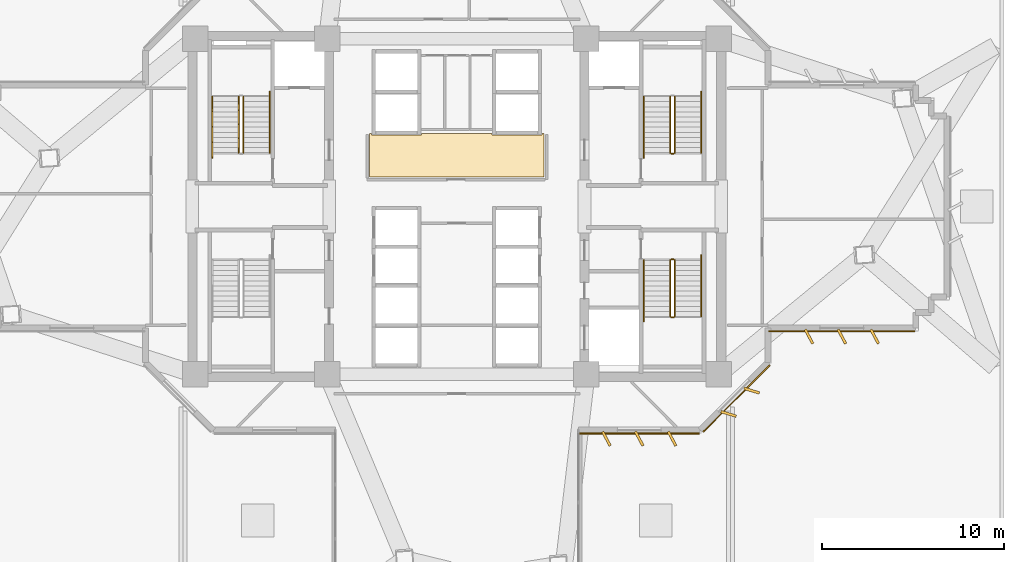
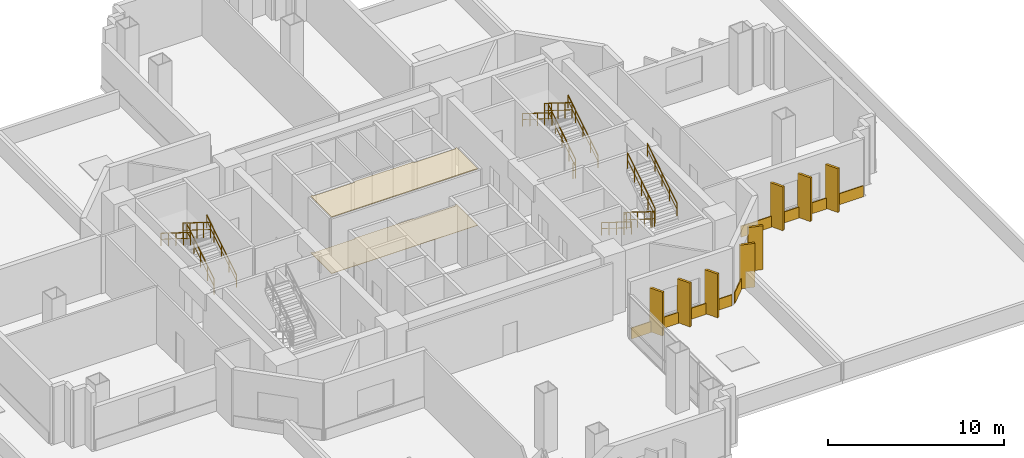
# One storey, part 13 of 15: 15 railings, 8 shading devices, 5 coverings.
"""IFC4 building model written with IfcOpenShell, lengths in metres."""

from ifc_helpers import new_model, si_unit, direction, frame, origin, origin_2d, place, context, subcontext, project, spatial, polyline, rectangle, outline, extrude, source, transform, mapped, material, layer, layer_set, type_object, element, save


model = new_model("IFC4")

# Units and contexts
model_context = context("Model", 3, precision=1e-05, world=origin(), true_north=direction((0.0, 1.0)))
body_context = subcontext(model_context, "Body", "Model", "MODEL_VIEW")
ifc_project = project(units=[si_unit("LENGTHUNIT", "METRE"), si_unit("AREAUNIT", "SQUARE_METRE"), si_unit("VOLUMEUNIT", "CUBIC_METRE"), si_unit("PLANEANGLEUNIT", "RADIAN"), si_unit("MASSUNIT", "GRAM", prefix="KILO")], contexts=[model_context])

# Site, building, storey
site_placement = place(None, origin())
site = spatial("IfcSite", under=ifc_project, at=site_placement, CompositionType="ELEMENT")
building_placement = place(site_placement, origin())
building = spatial("IfcBuilding", under=site, at=building_placement, Name="Zahravan Cultural Tower", CompositionType="ELEMENT")
storey_placement = place(building_placement, frame((0.0, 0.0, 29.10009765625)))
storey = spatial("IfcBuildingStorey", under=building, at=storey_placement, Name="L05", CompositionType="ELEMENT", Elevation=29.10009765625)

# Coverings
ifc_material_1 = material(Name="Acoustic mineral fibreboard")
ifc_layer_1 = layer(ifc_material_1, 0.0400390625)
ifc_layer_set_1 = layer_set([ifc_layer_1], Name="Acoustic mineral fibreboard")
covering_type_1 = type_object("IfcCoveringType", Name="COV-CEIL-AC20", PredefinedType="CEILING", material=ifc_layer_set_1)
covering_1_placement = place(storey_placement, frame((0.0, 0.0, 3.909912109375)))
element("IfcCovering", 1, at=covering_1_placement, inside=storey, type_object=covering_type_1, Name="L05 Acoustic Suspended Ceiling", PredefinedType="CEILING", context=body_context, shape_type="SweptSolid", body=[
    extrude(outline(polyline([(31.219970703125, 31.0), (31.219970703125, 28.6201171875), (40.780029296875, 28.6201171875), (40.780029296875, 31.0), (40.669921875, 31.0), (40.669921875, 30.929931640625), (37.929931640625, 30.929931640625), (37.929931640625, 31.0), (34.070068359375, 31.0), (34.070068359375, 30.929931640625), (31.330078125, 30.929931640625), (31.330078125, 31.0), (31.219970703125, 31.0)])), origin(), (0.0, 0.0, 1.0), 0.0400390625),
])
ifc_material_2 = material(Name="Terrazzo flooring")
ifc_layer_2 = layer(ifc_material_2, 0.02490234375)
ifc_layer_set_2 = layer_set([ifc_layer_2], Name="Terrazzo flooring")
covering_type_2 = type_object("IfcCoveringType", Name="COV-FLR-TZ25", PredefinedType="FLOORING", material=ifc_layer_set_2)
covering_2_placement = place(storey_placement, origin())
element("IfcCovering", 2, at=covering_2_placement, inside=storey, type_object=covering_type_2, Name="L05 Polished Terrazzo Flooring", PredefinedType="FLOORING", context=body_context, shape_type="SweptSolid", body=[
    extrude(outline(polyline([(31.219970703125, 31.0), (31.219970703125, 28.6201171875), (40.780029296875, 28.6201171875), (40.780029296875, 31.0), (40.669921875, 31.0), (40.669921875, 30.929931640625), (37.929931640625, 30.929931640625), (37.929931640625, 31.0), (34.070068359375, 31.0), (34.070068359375, 30.929931640625), (31.330078125, 30.929931640625), (31.330078125, 31.0), (31.219970703125, 31.0)])), origin(), (0.0, 0.0, 1.0), 0.02490234375),
])

# Railings
ifc_material_3 = material(Name="Steel ASTM A572 Grade 50", Category="steel")
railing_type_1 = type_object("IfcRailingType", Name="RL-STAIR-GRD1150", PredefinedType="BALUSTRADE", material=ifc_material_3)
railing_1_placement = place(storey_placement, frame((24.300048828125, 29.949951171875, 0.1748046875)))
element("IfcRailing", 3, at=railing_1_placement, inside=storey, type_object=railing_type_1, Name="L05 ST-W1 stair guard 1", PredefinedType="BALUSTRADE", context=body_context, shape_type="SweptSolid", body=[
    extrude(rectangle(XDim=0.05, YDim=0.05, at=origin_2d()), frame((0.0, 0.0, 1.0751953125), z_axis=(0.0, 0.847998304005, 0.529998940003), x_axis=(-1.0, 0.0, 0.0)), (0.0, 0.0, 1.0), 3.632080078125),
    extrude(rectangle(XDim=0.032, YDim=0.032, at=origin_2d()), frame((0.0, 0.0, 0.572021484375), z_axis=(0.0, 0.847998304005, 0.529998940003), x_axis=(-1.0, 0.0, 0.0)), (0.0, 0.0, 1.0), 3.632080078125),
    extrude(rectangle(XDim=0.04, YDim=0.04, at=origin_2d()), origin(), (0.0, 0.0, 1.0), 1.10009765625),
    extrude(rectangle(XDim=0.04, YDim=0.04, at=origin_2d()), frame((0.0, 0.77001953125, 0.481201171875)), (0.0, 0.0, 1.0), 1.10009765625),
    extrude(rectangle(XDim=0.04, YDim=0.04, at=origin_2d()), frame((0.0, 1.5400390625, 0.96240234375)), (0.0, 0.0, 1.0), 1.10009765625),
    extrude(rectangle(XDim=0.04, YDim=0.04, at=origin_2d()), frame((0.0, 2.31005859375, 1.44384765625)), (0.0, 0.0, 1.0), 1.10009765625),
    extrude(rectangle(XDim=0.04, YDim=0.04, at=origin_2d()), frame((0.0, 3.080078125, 1.925048828125)), (0.0, 0.0, 1.0), 1.10009765625),
])
railing_2_placement = place(storey_placement, frame((24.050048828125, 33.030029296875, 2.27490234375)))
element("IfcRailing", 4, at=railing_2_placement, inside=storey, type_object=railing_type_1, Name="L05 ST-W1 stair guard 3", PredefinedType="BALUSTRADE", context=body_context, shape_type="SweptSolid", body=[
    extrude(rectangle(XDim=0.05, YDim=0.05, at=origin_2d()), frame((0.0, 0.0, 1.0751953125), z_axis=(0.0, -0.847998304005, 0.529998940003), x_axis=(1.0, 0.0, 0.0)), (0.0, 0.0, 1.0), 3.632080078125),
    extrude(rectangle(XDim=0.032, YDim=0.032, at=origin_2d()), frame((0.0, 0.0, 0.572021484375), z_axis=(0.0, -0.847998304005, 0.529998940003), x_axis=(1.0, 0.0, 0.0)), (0.0, 0.0, 1.0), 3.632080078125),
    extrude(rectangle(XDim=0.04, YDim=0.04, at=origin_2d()), origin(), (0.0, 0.0, 1.0), 1.10009765625),
    extrude(rectangle(XDim=0.04, YDim=0.04, at=origin_2d()), frame((0.0, -0.77001953125, 0.481201171875)), (0.0, 0.0, 1.0), 1.10009765625),
    extrude(rectangle(XDim=0.04, YDim=0.04, at=origin_2d()), frame((0.0, -1.5400390625, 0.96240234375)), (0.0, 0.0, 1.0), 1.10009765625),
    extrude(rectangle(XDim=0.04, YDim=0.04, at=origin_2d()), frame((0.0, -2.31005859375, 1.44384765625)), (0.0, 0.0, 1.0), 1.10009765625),
    extrude(rectangle(XDim=0.04, YDim=0.04, at=origin_2d()), frame((0.0, -3.080078125, 1.925048828125)), (0.0, 0.0, 1.0), 1.10009765625),
])
railing_3_placement = place(storey_placement, frame((47.949951171875, 29.949951171875, 0.1748046875)))
element("IfcRailing", 5, at=railing_3_placement, inside=storey, type_object=railing_type_1, Name="L05 ST-E1 stair guard 1", PredefinedType="BALUSTRADE", context=body_context, shape_type="SweptSolid", body=[
    extrude(rectangle(XDim=0.05, YDim=0.05, at=origin_2d()), frame((0.0, 0.0, 1.0751953125), z_axis=(0.0, 0.847998304005, 0.529998940003), x_axis=(-1.0, 0.0, 0.0)), (0.0, 0.0, 1.0), 3.632080078125),
    extrude(rectangle(XDim=0.032, YDim=0.032, at=origin_2d()), frame((0.0, 0.0, 0.572021484375), z_axis=(0.0, 0.847998304005, 0.529998940003), x_axis=(-1.0, 0.0, 0.0)), (0.0, 0.0, 1.0), 3.632080078125),
    extrude(rectangle(XDim=0.04, YDim=0.04, at=origin_2d()), origin(), (0.0, 0.0, 1.0), 1.10009765625),
    extrude(rectangle(XDim=0.04, YDim=0.04, at=origin_2d()), frame((0.0, 0.77001953125, 0.481201171875)), (0.0, 0.0, 1.0), 1.10009765625),
    extrude(rectangle(XDim=0.04, YDim=0.04, at=origin_2d()), frame((0.0, 1.5400390625, 0.96240234375)), (0.0, 0.0, 1.0), 1.10009765625),
    extrude(rectangle(XDim=0.04, YDim=0.04, at=origin_2d()), frame((0.0, 2.31005859375, 1.44384765625)), (0.0, 0.0, 1.0), 1.10009765625),
    extrude(rectangle(XDim=0.04, YDim=0.04, at=origin_2d()), frame((0.0, 3.080078125, 1.925048828125)), (0.0, 0.0, 1.0), 1.10009765625),
])
railing_4_placement = place(storey_placement, frame((47.699951171875, 33.030029296875, 2.27490234375)))
element("IfcRailing", 6, at=railing_4_placement, inside=storey, type_object=railing_type_1, Name="L05 ST-E1 stair guard 3", PredefinedType="BALUSTRADE", context=body_context, shape_type="SweptSolid", body=[
    extrude(rectangle(XDim=0.05, YDim=0.05, at=origin_2d()), frame((0.0, 0.0, 1.0751953125), z_axis=(0.0, -0.847998304005, 0.529998940003), x_axis=(1.0, 0.0, 0.0)), (0.0, 0.0, 1.0), 3.632080078125),
    extrude(rectangle(XDim=0.032, YDim=0.032, at=origin_2d()), frame((0.0, 0.0, 0.572021484375), z_axis=(0.0, -0.847998304005, 0.529998940003), x_axis=(1.0, 0.0, 0.0)), (0.0, 0.0, 1.0), 3.632080078125),
    extrude(rectangle(XDim=0.04, YDim=0.04, at=origin_2d()), origin(), (0.0, 0.0, 1.0), 1.10009765625),
    extrude(rectangle(XDim=0.04, YDim=0.04, at=origin_2d()), frame((0.0, -0.77001953125, 0.481201171875)), (0.0, 0.0, 1.0), 1.10009765625),
    extrude(rectangle(XDim=0.04, YDim=0.04, at=origin_2d()), frame((0.0, -1.5400390625, 0.96240234375)), (0.0, 0.0, 1.0), 1.10009765625),
    extrude(rectangle(XDim=0.04, YDim=0.04, at=origin_2d()), frame((0.0, -2.31005859375, 1.44384765625)), (0.0, 0.0, 1.0), 1.10009765625),
    extrude(rectangle(XDim=0.04, YDim=0.04, at=origin_2d()), frame((0.0, -3.080078125, 1.925048828125)), (0.0, 0.0, 1.0), 1.10009765625),
])
railing_5_placement = place(storey_placement, frame((47.89990234375, 29.89990234375, 0.0)))
element("IfcRailing", 7, at=railing_5_placement, inside=storey, type_object=railing_type_1, Name="L05 ST-E1 stair guard 4", PredefinedType="BALUSTRADE", context=body_context, shape_type="SweptSolid", body=[
    extrude(rectangle(XDim=0.05, YDim=0.05, at=origin_2d()), frame((0.0, 0.0, 1.0751953125), z_axis=(-1.0, 0.0, 0.0), x_axis=(0.0, -1.0, 0.0)), (0.0, 0.0, 1.0), 0.14990234375),
    extrude(rectangle(XDim=0.032, YDim=0.032, at=origin_2d()), frame((0.0, 0.0, 0.572021484375), z_axis=(-1.0, 0.0, 0.0), x_axis=(0.0, -1.0, 0.0)), (0.0, 0.0, 1.0), 0.14990234375),
    extrude(rectangle(XDim=0.04, YDim=0.04, at=origin_2d()), origin(), (0.0, 0.0, 1.0), 1.10009765625),
    extrude(rectangle(XDim=0.04, YDim=0.04, at=origin_2d()), frame((-0.14990234375, 0.0, 0.0)), (0.0, 0.0, 1.0), 1.10009765625),
])
railing_6_placement = place(storey_placement, frame((47.699951171875, 24.050048828125, 0.1748046875)))
element("IfcRailing", 8, at=railing_6_placement, inside=storey, type_object=railing_type_1, Name="L05 ST-E2 stair guard 1", PredefinedType="BALUSTRADE", context=body_context, shape_type="SweptSolid", body=[
    extrude(rectangle(XDim=0.05, YDim=0.05, at=origin_2d()), frame((0.0, 0.0, 1.0751953125), z_axis=(0.0, -0.847998304005, 0.529998940003), x_axis=(1.0, 0.0, 0.0)), (0.0, 0.0, 1.0), 3.632080078125),
    extrude(rectangle(XDim=0.032, YDim=0.032, at=origin_2d()), frame((0.0, 0.0, 0.572021484375), z_axis=(0.0, -0.847998304005, 0.529998940003), x_axis=(1.0, 0.0, 0.0)), (0.0, 0.0, 1.0), 3.632080078125),
    extrude(rectangle(XDim=0.04, YDim=0.04, at=origin_2d()), origin(), (0.0, 0.0, 1.0), 1.10009765625),
    extrude(rectangle(XDim=0.04, YDim=0.04, at=origin_2d()), frame((0.0, -0.77001953125, 0.481201171875)), (0.0, 0.0, 1.0), 1.10009765625),
    extrude(rectangle(XDim=0.04, YDim=0.04, at=origin_2d()), frame((0.0, -1.5400390625, 0.96240234375)), (0.0, 0.0, 1.0), 1.10009765625),
    extrude(rectangle(XDim=0.04, YDim=0.04, at=origin_2d()), frame((0.0, -2.31005859375, 1.44384765625)), (0.0, 0.0, 1.0), 1.10009765625),
    extrude(rectangle(XDim=0.04, YDim=0.04, at=origin_2d()), frame((0.0, -3.080078125, 1.925048828125)), (0.0, 0.0, 1.0), 1.10009765625),
])
railing_7_placement = place(storey_placement, frame((47.75, 20.919921875, 2.099853515625)))
element("IfcRailing", 9, at=railing_7_placement, inside=storey, type_object=railing_type_1, Name="L05 ST-E2 stair guard 2", PredefinedType="BALUSTRADE", context=body_context, shape_type="SweptSolid", body=[
    extrude(rectangle(XDim=0.05, YDim=0.05, at=origin_2d()), frame((0.0, 0.0, 1.0751953125), z_axis=(1.0, 0.0, 0.0), x_axis=(0.0, 1.0, 0.0)), (0.0, 0.0, 1.0), 0.14990234375),
    extrude(rectangle(XDim=0.032, YDim=0.032, at=origin_2d()), frame((0.0, 0.0, 0.572021484375), z_axis=(1.0, 0.0, 0.0), x_axis=(0.0, 1.0, 0.0)), (0.0, 0.0, 1.0), 0.14990234375),
    extrude(rectangle(XDim=0.04, YDim=0.04, at=origin_2d()), origin(), (0.0, 0.0, 1.0), 1.10009765625),
    extrude(rectangle(XDim=0.04, YDim=0.04, at=origin_2d()), frame((0.14990234375, 0.0, 0.0)), (0.0, 0.0, 1.0), 1.10009765625),
])
railing_8_placement = place(storey_placement, frame((47.949951171875, 20.969970703125, 2.27490234375)))
element("IfcRailing", 10, at=railing_8_placement, inside=storey, type_object=railing_type_1, Name="L05 ST-E2 stair guard 3", PredefinedType="BALUSTRADE", context=body_context, shape_type="SweptSolid", body=[
    extrude(rectangle(XDim=0.05, YDim=0.05, at=origin_2d()), frame((0.0, 0.0, 1.0751953125), z_axis=(0.0, 0.847998304005, 0.529998940003), x_axis=(-1.0, 0.0, 0.0)), (0.0, 0.0, 1.0), 3.632080078125),
    extrude(rectangle(XDim=0.032, YDim=0.032, at=origin_2d()), frame((0.0, 0.0, 0.572021484375), z_axis=(0.0, 0.847998304005, 0.529998940003), x_axis=(-1.0, 0.0, 0.0)), (0.0, 0.0, 1.0), 3.632080078125),
    extrude(rectangle(XDim=0.04, YDim=0.04, at=origin_2d()), origin(), (0.0, 0.0, 1.0), 1.10009765625),
    extrude(rectangle(XDim=0.04, YDim=0.04, at=origin_2d()), frame((0.0, 0.77001953125, 0.481201171875)), (0.0, 0.0, 1.0), 1.10009765625),
    extrude(rectangle(XDim=0.04, YDim=0.04, at=origin_2d()), frame((0.0, 1.5400390625, 0.96240234375)), (0.0, 0.0, 1.0), 1.10009765625),
    extrude(rectangle(XDim=0.04, YDim=0.04, at=origin_2d()), frame((0.0, 2.31005859375, 1.44384765625)), (0.0, 0.0, 1.0), 1.10009765625),
    extrude(rectangle(XDim=0.04, YDim=0.04, at=origin_2d()), frame((0.0, 3.080078125, 1.925048828125)), (0.0, 0.0, 1.0), 1.10009765625),
])
railing_9_placement = place(storey_placement, frame((47.75, 24.10009765625, 0.0)))
element("IfcRailing", 11, at=railing_9_placement, inside=storey, type_object=railing_type_1, Name="L05 ST-E2 stair guard 4", PredefinedType="BALUSTRADE", context=body_context, shape_type="SweptSolid", body=[
    extrude(rectangle(XDim=0.05, YDim=0.05, at=origin_2d()), frame((0.0, 0.0, 1.0751953125), z_axis=(1.0, 0.0, 0.0), x_axis=(0.0, 1.0, 0.0)), (0.0, 0.0, 1.0), 0.14990234375),
    extrude(rectangle(XDim=0.032, YDim=0.032, at=origin_2d()), frame((0.0, 0.0, 0.572021484375), z_axis=(1.0, 0.0, 0.0), x_axis=(0.0, 1.0, 0.0)), (0.0, 0.0, 1.0), 0.14990234375),
    extrude(rectangle(XDim=0.04, YDim=0.04, at=origin_2d()), origin(), (0.0, 0.0, 1.0), 1.10009765625),
    extrude(rectangle(XDim=0.04, YDim=0.04, at=origin_2d()), frame((0.14990234375, 0.0, 0.0)), (0.0, 0.0, 1.0), 1.10009765625),
])
railing_type_2 = type_object("IfcRailingType", Name="RL-STAIR-HR900", PredefinedType="HANDRAIL", material=ifc_material_3)
railing_10_placement = place(storey_placement, frame((25.75, 29.949951171875, 0.1748046875)))
element("IfcRailing", 12, at=railing_10_placement, inside=storey, type_object=railing_type_2, Name="L05 ST-W1 stair handrail 1", PredefinedType="HANDRAIL", context=body_context, shape_type="SweptSolid", body=[
    extrude(rectangle(XDim=0.05, YDim=0.05, at=origin_2d()), frame((0.0, 0.0, 0.875), z_axis=(0.0, 0.847994842521, 0.530004478338), x_axis=(-1.0, 0.0, 0.0)), (0.0, 0.0, 1.0), 3.96240234375),
    extrude(rectangle(XDim=0.032, YDim=0.032, at=origin_2d()), frame((0.0, 0.0, 0.468017578125), z_axis=(0.0, 0.847994842521, 0.530004478338), x_axis=(-1.0, 0.0, 0.0)), (0.0, 0.0, 1.0), 3.96240234375),
    extrude(rectangle(XDim=0.04, YDim=0.04, at=origin_2d()), origin(), (0.0, 0.0, 1.0), 0.89990234375),
    extrude(rectangle(XDim=0.04, YDim=0.04, at=origin_2d()), frame((0.0, 0.840087890625, 0.52490234375)), (0.0, 0.0, 1.0), 0.89990234375),
    extrude(rectangle(XDim=0.04, YDim=0.04, at=origin_2d()), frame((0.0, 1.68017578125, 1.050048828125)), (0.0, 0.0, 1.0), 0.89990234375),
    extrude(rectangle(XDim=0.04, YDim=0.04, at=origin_2d()), frame((0.0, 2.52001953125, 1.5751953125)), (0.0, 0.0, 1.0), 0.89990234375),
    extrude(rectangle(XDim=0.04, YDim=0.04, at=origin_2d()), frame((0.0, 3.360107421875, 2.10009765625)), (0.0, 0.0, 1.0), 0.89990234375),
])
railing_11_placement = place(storey_placement, frame((22.60009765625, 33.030029296875, 2.27490234375)))
element("IfcRailing", 13, at=railing_11_placement, inside=storey, type_object=railing_type_2, Name="L05 ST-W1 stair handrail 2", PredefinedType="HANDRAIL", context=body_context, shape_type="SweptSolid", body=[
    extrude(rectangle(XDim=0.05, YDim=0.05, at=origin_2d()), frame((0.0, 0.0, 0.875), z_axis=(0.0, -0.847994842521, 0.530004478338), x_axis=(1.0, 0.0, 0.0)), (0.0, 0.0, 1.0), 3.96240234375),
    extrude(rectangle(XDim=0.032, YDim=0.032, at=origin_2d()), frame((0.0, 0.0, 0.468017578125), z_axis=(0.0, -0.847994842521, 0.530004478338), x_axis=(1.0, 0.0, 0.0)), (0.0, 0.0, 1.0), 3.96240234375),
    extrude(rectangle(XDim=0.04, YDim=0.04, at=origin_2d()), origin(), (0.0, 0.0, 1.0), 0.89990234375),
    extrude(rectangle(XDim=0.04, YDim=0.04, at=origin_2d()), frame((0.0, -0.840087890625, 0.52490234375)), (0.0, 0.0, 1.0), 0.89990234375),
    extrude(rectangle(XDim=0.04, YDim=0.04, at=origin_2d()), frame((0.0, -1.68017578125, 1.050048828125)), (0.0, 0.0, 1.0), 0.89990234375),
    extrude(rectangle(XDim=0.04, YDim=0.04, at=origin_2d()), frame((0.0, -2.52001953125, 1.5751953125)), (0.0, 0.0, 1.0), 0.89990234375),
    extrude(rectangle(XDim=0.04, YDim=0.04, at=origin_2d()), frame((0.0, -3.360107421875, 2.10009765625)), (0.0, 0.0, 1.0), 0.89990234375),
])
railing_12_placement = place(storey_placement, frame((49.39990234375, 29.949951171875, 0.1748046875)))
element("IfcRailing", 14, at=railing_12_placement, inside=storey, type_object=railing_type_2, Name="L05 ST-E1 stair handrail 1", PredefinedType="HANDRAIL", context=body_context, shape_type="SweptSolid", body=[
    extrude(rectangle(XDim=0.05, YDim=0.05, at=origin_2d()), frame((0.0, 0.0, 0.875), z_axis=(0.0, 0.847994842521, 0.530004478338), x_axis=(-1.0, 0.0, 0.0)), (0.0, 0.0, 1.0), 3.96240234375),
    extrude(rectangle(XDim=0.032, YDim=0.032, at=origin_2d()), frame((0.0, 0.0, 0.468017578125), z_axis=(0.0, 0.847994842521, 0.530004478338), x_axis=(-1.0, 0.0, 0.0)), (0.0, 0.0, 1.0), 3.96240234375),
    extrude(rectangle(XDim=0.04, YDim=0.04, at=origin_2d()), origin(), (0.0, 0.0, 1.0), 0.89990234375),
    extrude(rectangle(XDim=0.04, YDim=0.04, at=origin_2d()), frame((0.0, 0.840087890625, 0.52490234375)), (0.0, 0.0, 1.0), 0.89990234375),
    extrude(rectangle(XDim=0.04, YDim=0.04, at=origin_2d()), frame((0.0, 1.68017578125, 1.050048828125)), (0.0, 0.0, 1.0), 0.89990234375),
    extrude(rectangle(XDim=0.04, YDim=0.04, at=origin_2d()), frame((0.0, 2.52001953125, 1.5751953125)), (0.0, 0.0, 1.0), 0.89990234375),
    extrude(rectangle(XDim=0.04, YDim=0.04, at=origin_2d()), frame((0.0, 3.360107421875, 2.10009765625)), (0.0, 0.0, 1.0), 0.89990234375),
])
for number, where, name in (
    (15, (46.25, 33.030029296875, 2.27490234375), "L05 ST-E1 stair handrail 2"),
    (16, (46.25, 24.050048828125, 0.1748046875), "L05 ST-E2 stair handrail 1"),
):
    element("IfcRailing", number, at=place(storey_placement, frame(where)), inside=storey, type_object=railing_type_2, Name=name, PredefinedType="HANDRAIL", context=body_context, shape_type="SweptSolid", body=[
        extrude(rectangle(XDim=0.05, YDim=0.05, at=origin_2d()), frame((0.0, 0.0, 0.875), z_axis=(0.0, -0.847994842521, 0.530004478338), x_axis=(1.0, 0.0, 0.0)), (0.0, 0.0, 1.0), 3.96240234375),
        extrude(rectangle(XDim=0.032, YDim=0.032, at=origin_2d()), frame((0.0, 0.0, 0.468017578125), z_axis=(0.0, -0.847994842521, 0.530004478338), x_axis=(1.0, 0.0, 0.0)), (0.0, 0.0, 1.0), 3.96240234375),
        extrude(rectangle(XDim=0.04, YDim=0.04, at=origin_2d()), origin(), (0.0, 0.0, 1.0), 0.89990234375),
        extrude(rectangle(XDim=0.04, YDim=0.04, at=origin_2d()), frame((0.0, -0.840087890625, 0.52490234375)), (0.0, 0.0, 1.0), 0.89990234375),
        extrude(rectangle(XDim=0.04, YDim=0.04, at=origin_2d()), frame((0.0, -1.68017578125, 1.050048828125)), (0.0, 0.0, 1.0), 0.89990234375),
        extrude(rectangle(XDim=0.04, YDim=0.04, at=origin_2d()), frame((0.0, -2.52001953125, 1.5751953125)), (0.0, 0.0, 1.0), 0.89990234375),
        extrude(rectangle(XDim=0.04, YDim=0.04, at=origin_2d()), frame((0.0, -3.360107421875, 2.10009765625)), (0.0, 0.0, 1.0), 0.89990234375),
    ])
railing_13_placement = place(storey_placement, frame((49.39990234375, 20.969970703125, 2.27490234375)))
element("IfcRailing", 17, at=railing_13_placement, inside=storey, type_object=railing_type_2, Name="L05 ST-E2 stair handrail 2", PredefinedType="HANDRAIL", context=body_context, shape_type="SweptSolid", body=[
    extrude(rectangle(XDim=0.05, YDim=0.05, at=origin_2d()), frame((0.0, 0.0, 0.875), z_axis=(0.0, 0.847994842521, 0.530004478338), x_axis=(-1.0, 0.0, 0.0)), (0.0, 0.0, 1.0), 3.96240234375),
    extrude(rectangle(XDim=0.032, YDim=0.032, at=origin_2d()), frame((0.0, 0.0, 0.468017578125), z_axis=(0.0, 0.847994842521, 0.530004478338), x_axis=(-1.0, 0.0, 0.0)), (0.0, 0.0, 1.0), 3.96240234375),
    extrude(rectangle(XDim=0.04, YDim=0.04, at=origin_2d()), origin(), (0.0, 0.0, 1.0), 0.89990234375),
    extrude(rectangle(XDim=0.04, YDim=0.04, at=origin_2d()), frame((0.0, 0.840087890625, 0.52490234375)), (0.0, 0.0, 1.0), 0.89990234375),
    extrude(rectangle(XDim=0.04, YDim=0.04, at=origin_2d()), frame((0.0, 1.68017578125, 1.050048828125)), (0.0, 0.0, 1.0), 0.89990234375),
    extrude(rectangle(XDim=0.04, YDim=0.04, at=origin_2d()), frame((0.0, 2.52001953125, 1.5751953125)), (0.0, 0.0, 1.0), 0.89990234375),
    extrude(rectangle(XDim=0.04, YDim=0.04, at=origin_2d()), frame((0.0, 3.360107421875, 2.10009765625)), (0.0, 0.0, 1.0), 0.89990234375),
])

# Covering
ifc_material_4 = material(Name="Terracotta ceramic cladding", Category="masonry")
ifc_layer_3 = layer(ifc_material_4, 0.06005859375)
ifc_layer_set_3 = layer_set([ifc_layer_3], Name="Terracotta ceramic cladding")
covering_type_3 = type_object("IfcCoveringType", Name="COV-CLAD-TC60", PredefinedType="CLADDING", material=ifc_layer_set_3)
shared_shape_1 = source(origin(), body_context, "Body", "SweptSolid", [
    extrude(rectangle(XDim=8.0, YDim=0.06005859375, at=origin_2d()), origin(), (0.0, 0.0, 1.0), 0.760009765625),
])
covering_3_placement = place(storey_placement, frame((57.110107421875, 20.155029296875, 0.02001953125), z_axis=(0.0, 0.0, 1.0), x_axis=(-1.0, 0.0, 0.0)))
element("IfcCovering", 18, at=covering_3_placement, inside=storey, type_object=covering_type_3, Name="L05 Terracotta Spandrel Cladding 11", PredefinedType="CLADDING", context=body_context, shape_type="MappedRepresentation", body=[
    mapped(shared_shape_1, transform((0.0, 0.0, 0.0), x_axis=(1.0, 0.0, 0.0), y_axis=(0.0, 1.0, 0.0), z_axis=(0.0, 0.0, 1.0), scale=1.0)),
])

# Shading devices
ifc_material_5 = material(Name="Architectural terracotta fin", Category="masonry")
shading_device_type = type_object("IfcShadingDeviceType", Name="SHD-FIN-880", PredefinedType="USERDEFINED", material=ifc_material_5)
shared_shape_2 = source(origin(), body_context, "Body", "SweptSolid", [
    extrude(rectangle(XDim=0.8798828125, YDim=0.139892578125, at=origin_2d()), origin(), (0.0, 0.0, 1.0), 3.030029296875),
])
for number, where, z_axis, x_axis, name in (
    (19, (58.909912109375, 19.8701171875, 0.0498046875), (0.0, 0.0, 1.0), (0.469471562786, -0.882947592859, 0.0), "L05 Herringbone Terracotta Fin 07"),
    (20, (57.110107421875, 19.8701171875, 0.0498046875), (0.0, 0.0, 1.0), (0.469471562786, -0.882947592859, 0.0), "L05 Herringbone Terracotta Fin 08"),
    (21, (55.31005859375, 19.8701171875, 0.0498046875), (0.0, 0.0, 1.0), (0.469471562786, -0.882947592859, 0.0), "L05 Herringbone Terracotta Fin 09"),
    (22, (52.169677734375, 16.903076171875, 0.0498046875), (0.0, 0.0, 1.0), (0.956304755963, -0.292371704723, 0.0), "L05 Herringbone Terracotta Fin 10"),
    (23, (50.89697265625, 15.63037109375, 0.0498046875), (0.0, 0.0, 1.0), (0.956304755963, -0.292371704723, 0.0), "L05 Herringbone Terracotta Fin 11"),
    (24, (47.801025390625, 14.27001953125, 0.0498046875), (0.0, 0.0, 1.0), (0.469471562786, -0.882947592859, 0.0), "L05 Herringbone Terracotta Fin 12"),
    (25, (46.0009765625, 14.27001953125, 0.0498046875), (0.0, 0.0, 1.0), (0.469471562786, -0.882947592859, 0.0), "L05 Herringbone Terracotta Fin 13"),
    (26, (44.200927734375, 14.27001953125, 0.0498046875), (0.0, 0.0, 1.0), (0.469471562786, -0.882947592859, 0.0), "L05 Herringbone Terracotta Fin 14"),
):
    element("IfcShadingDevice", number, at=place(storey_placement, frame(where, z_axis=z_axis, x_axis=x_axis)), inside=storey, type_object=shading_device_type, Name=name, ObjectType="FIN", PredefinedType="USERDEFINED", context=body_context, shape_type="MappedRepresentation", body=[
        mapped(shared_shape_2, transform((0.0, 0.0, 0.0), x_axis=(1.0, 0.0, 0.0), y_axis=(0.0, 1.0, 0.0), z_axis=(0.0, 0.0, 1.0), scale=1.0)),
    ])

# Coverings
shared_shape_3 = source(origin(), body_context, "Body", "SweptSolid", [
    extrude(rectangle(XDim=5.157958984375, YDim=0.06005859375, at=origin_2d()), origin(), (0.0, 0.0, 1.0), 0.760009765625),
])
covering_4_placement = place(storey_placement, frame((51.331787109375, 16.46826171875, 0.02001953125), z_axis=(0.0, 0.0, 1.0), x_axis=(-0.707106781187, -0.707106781187, 0.0)))
element("IfcCovering", 27, at=covering_4_placement, inside=storey, type_object=covering_type_3, Name="L05 Terracotta Spandrel Cladding 13", PredefinedType="CLADDING", context=body_context, shape_type="MappedRepresentation", body=[
    mapped(shared_shape_3, transform((0.0, 0.0, 0.0), x_axis=(1.0, 0.0, 0.0), y_axis=(0.0, 1.0, 0.0), z_axis=(0.0, 0.0, 1.0), scale=1.0)),
])
shared_shape_4 = source(origin(), body_context, "Body", "SweptSolid", [
    extrude(rectangle(XDim=6.58203125, YDim=0.06005859375, at=origin_2d()), origin(), (0.0, 0.0, 1.0), 0.760009765625),
])
covering_5_placement = place(storey_placement, frame((46.0009765625, 14.554931640625, 0.02001953125), z_axis=(0.0, 0.0, 1.0), x_axis=(-1.0, 0.0, 0.0)))
element("IfcCovering", 28, at=covering_5_placement, inside=storey, type_object=covering_type_3, Name="L05 Terracotta Spandrel Cladding 14", PredefinedType="CLADDING", context=body_context, shape_type="MappedRepresentation", body=[
    mapped(shared_shape_4, transform((0.0, 0.0, 0.0), x_axis=(1.0, 0.0, 0.0), y_axis=(0.0, 1.0, 0.0), z_axis=(0.0, 0.0, 1.0), scale=1.0)),
])

save(model, "model.ifc")
